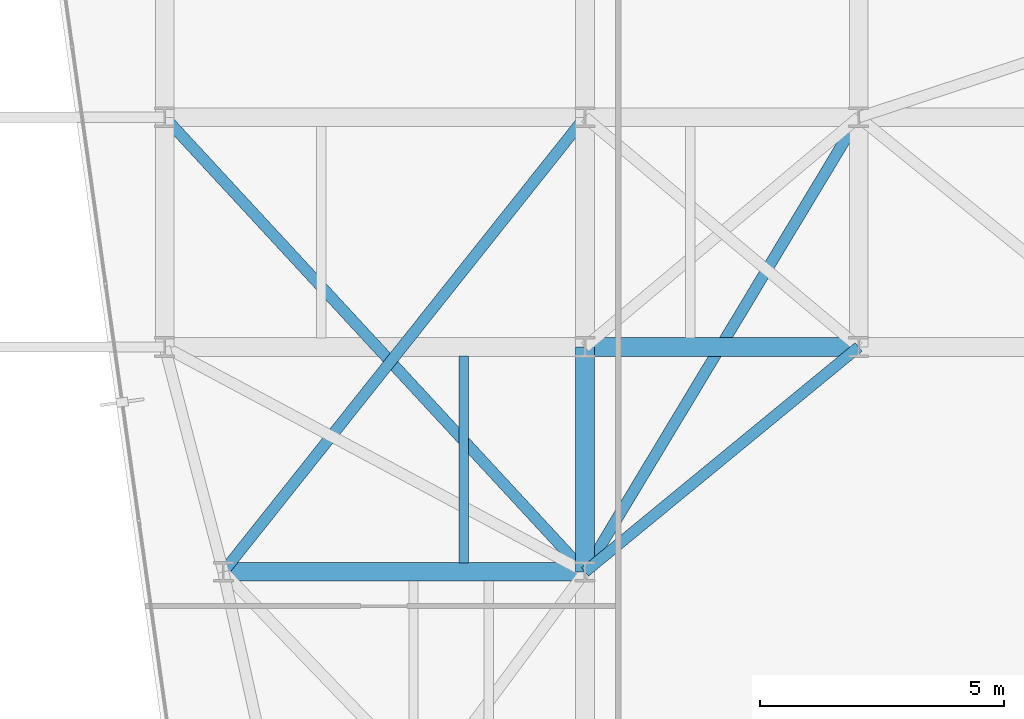
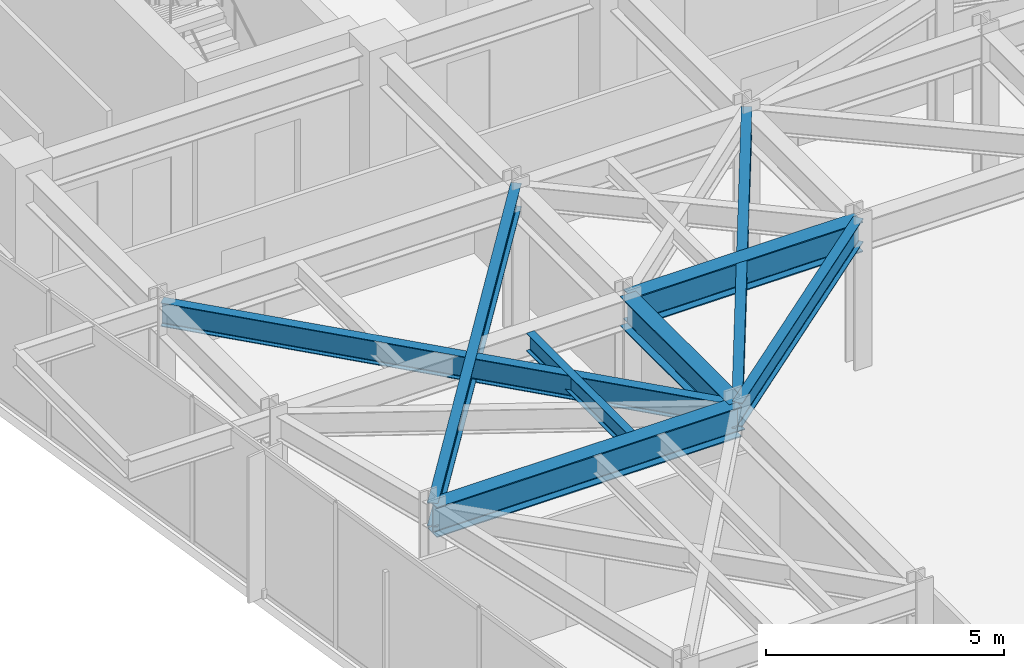
# One storey, part 5 of 26: 8 beams.
"""IFC4 building model written with IfcOpenShell, lengths in metres."""

from ifc_helpers import new_model, si_unit, direction, frame, origin, origin_2d, place, context, subcontext, project, spatial, i_section, extrude, material, material_profile, profile_set, type_object, element, save


model = new_model("IFC4")

# Units and contexts
model_context = context("Model", 3, precision=1e-05, world=origin(), true_north=direction((0.0, 1.0)))
body_context = subcontext(model_context, "Body", "Model", "MODEL_VIEW")
ifc_project = project(units=[si_unit("LENGTHUNIT", "METRE"), si_unit("AREAUNIT", "SQUARE_METRE"), si_unit("VOLUMEUNIT", "CUBIC_METRE"), si_unit("PLANEANGLEUNIT", "RADIAN"), si_unit("MASSUNIT", "GRAM", prefix="KILO")], contexts=[model_context])

# Site, building, storey
site_placement = place(None, origin())
site = spatial("IfcSite", under=ifc_project, at=site_placement, CompositionType="ELEMENT")
building_placement = place(site_placement, origin())
building = spatial("IfcBuilding", under=site, at=building_placement, Name="Kravanh Interchange Tower", CompositionType="ELEMENT")
storey_placement = place(building_placement, frame((0.0, 0.0, 172.5)))
storey = spatial("IfcBuildingStorey", under=building, at=storey_placement, Name="L41", CompositionType="ELEMENT", Elevation=172.5)

# Beams
ifc_material_1 = material(Name="Structural Steel S355", Category="steel")
ifc_material_profile_1 = material_profile(ifc_material_1, i_section(OverallWidth=0.381103515625, OverallDepth=0.77294921875, WebThickness=0.0166015625, FlangeThickness=0.027099609375, FilletRadius=0.02490234375, at=origin_2d()), Name="W30X173")
ifc_profile_set_1 = profile_set([ifc_material_profile_1], Name="Structural Steel S355")
beam_type_1 = type_object("IfcBeamType", Name="Floor Beam W30X173 Structural Steel S355", PredefinedType="BEAM", material=ifc_profile_set_1)
beam_1_placement = place(storey_placement, frame((27.199951171875, 26.800048828125, 3.368408203125), z_axis=(0.0, -1.0, 0.0), x_axis=(1.0, 0.0, 0.0)))
element("IfcBeam", 1, at=beam_1_placement, inside=storey, type_object=beam_type_1, Name="L41 Primary Floor Girder 37", PredefinedType="BEAM", context=body_context, shape_type="SweptSolid", body=[
    extrude(i_section(OverallWidth=0.381103515625, OverallDepth=0.77294921875, WebThickness=0.0166015625, FlangeThickness=0.027099609375, FilletRadius=0.02490234375, at=origin_2d()), origin(), (0.0, 0.0, 1.0), 4.60009765625),
])
beam_2_placement = place(storey_placement, frame((27.199951171875, 26.800048828125, 3.368408203125), z_axis=(1.0, 0.0, 0.0), x_axis=(0.0, 1.0, 0.0)))
element("IfcBeam", 2, at=beam_2_placement, inside=storey, type_object=beam_type_1, Name="L41 Primary Floor Girder 39", PredefinedType="BEAM", context=body_context, shape_type="SweptSolid", body=[
    extrude(i_section(OverallWidth=0.381103515625, OverallDepth=0.77294921875, WebThickness=0.0166015625, FlangeThickness=0.027099609375, FilletRadius=0.02490234375, at=origin_2d()), origin(), (0.0, 0.0, 1.0), 5.60009765625),
])
beam_3_placement = place(storey_placement, frame((19.800048828125, 22.199951171875, 3.368408203125), z_axis=(1.0, 0.0, 0.0), x_axis=(0.0, 1.0, 0.0)))
element("IfcBeam", 3, at=beam_3_placement, inside=storey, type_object=beam_type_1, Name="L41 Primary Floor Girder 91", PredefinedType="BEAM", context=body_context, shape_type="SweptSolid", body=[
    extrude(i_section(OverallWidth=0.381103515625, OverallDepth=0.77294921875, WebThickness=0.0166015625, FlangeThickness=0.027099609375, FilletRadius=0.02490234375, at=origin_2d()), origin(), (0.0, 0.0, 1.0), 7.39990234375),
])
ifc_material_2 = material(Name="Structural Steel S355", Category="steel")
ifc_material_profile_2 = material_profile(ifc_material_2, i_section(OverallWidth=0.18994140625, OverallDepth=0.45703125, WebThickness=0.009033203125, FlangeThickness=0.014404296875, FilletRadius=0.01806640625, at=origin_2d()), Name="W18X50")
ifc_profile_set_2 = profile_set([ifc_material_profile_2], Name="Structural Steel S355")
beam_type_2 = type_object("IfcBeamType", Name="Floor Joist W18X50 Structural Steel S355", PredefinedType="JOIST", material=ifc_profile_set_2)
beam_4_placement = place(storey_placement, frame((24.719970703125, 22.385498046875, 3.526611328125), z_axis=(0.0, 1.0, 0.0), x_axis=(-1.0, 0.0, 0.0)))
element("IfcBeam", 4, at=beam_4_placement, inside=storey, type_object=beam_type_2, Name="L41 Secondary Floor Joist 6", PredefinedType="JOIST", context=body_context, shape_type="SweptSolid", body=[
    extrude(i_section(OverallWidth=0.18994140625, OverallDepth=0.45703125, WebThickness=0.009033203125, FlangeThickness=0.014404296875, FilletRadius=0.01806640625, at=origin_2d()), origin(), (0.0, 0.0, 1.0), 4.22900390625),
])
ifc_material_3 = material(Name="Structural Steel S355", Category="steel")
ifc_material_profile_3 = material_profile(ifc_material_3, i_section(OverallWidth=0.22802734375, OverallDepth=0.60791015625, WebThickness=0.01123046875, FlangeThickness=0.017333984375, FilletRadius=0.02197265625, at=origin_2d()), Name="W24X76")
ifc_profile_set_3 = profile_set([ifc_material_profile_3], Name="Structural Steel S355")
beam_type_3 = type_object("IfcBeamType", Name="Floor Spandrel W24X76 Structural Steel S355", PredefinedType="SPANDREL", material=ifc_profile_set_3)
beam_5_placement = place(storey_placement, frame((32.800048828125, 26.800048828125, 3.450927734375), z_axis=(-0.772725074305, -0.634740860147, 0.0), x_axis=(0.634740860147, -0.772725074305, 0.0)))
element("IfcBeam", 5, at=beam_5_placement, inside=storey, type_object=beam_type_3, Name="L41 Perimeter Spandrel 43", PredefinedType="SPANDREL", context=body_context, shape_type="SweptSolid", body=[
    extrude(i_section(OverallWidth=0.22802734375, OverallDepth=0.60791015625, WebThickness=0.01123046875, FlangeThickness=0.017333984375, FilletRadius=0.02197265625, at=origin_2d()), origin(), (0.0, 0.0, 1.0), 7.247314453125),
])
beam_6_placement = place(storey_placement, frame((18.60009765625, 31.5, 3.450927734375), z_axis=(0.678927458783, -0.734205356634, 0.0), x_axis=(0.734205356634, 0.678927458783, 0.0)))
element("IfcBeam", 6, at=beam_6_placement, inside=storey, type_object=beam_type_3, Name="L41 Perimeter Spandrel 63", PredefinedType="SPANDREL", context=body_context, shape_type="SweptSolid", body=[
    extrude(i_section(OverallWidth=0.22802734375, OverallDepth=0.60791015625, WebThickness=0.01123046875, FlangeThickness=0.017333984375, FilletRadius=0.02197265625, at=origin_2d()), origin(), (0.0, 0.0, 1.0), 12.666748046875),
])
beam_7_placement = place(storey_placement, frame((27.199951171875, 31.5, 3.450927734375), z_axis=(-0.622633646541, -0.782513477324, 0.0), x_axis=(0.782513477324, -0.622633646541, 0.0)))
element("IfcBeam", 7, at=beam_7_placement, inside=storey, type_object=beam_type_3, Name="L41 Perimeter Spandrel 66", PredefinedType="SPANDREL", context=body_context, shape_type="SweptSolid", body=[
    extrude(i_section(OverallWidth=0.22802734375, OverallDepth=0.60791015625, WebThickness=0.01123046875, FlangeThickness=0.017333984375, FilletRadius=0.02197265625, at=origin_2d()), origin(), (0.0, 0.0, 1.0), 11.884765625),
])
beam_8_placement = place(storey_placement, frame((32.800048828125, 31.5, 3.450927734375), z_axis=(-0.515854375109, -0.856676288735, 0.0), x_axis=(0.856676288735, -0.515854375109, 0.0)))
element("IfcBeam", 8, at=beam_8_placement, inside=storey, type_object=beam_type_3, Name="L41 Perimeter Spandrel 69", PredefinedType="SPANDREL", context=body_context, shape_type="SweptSolid", body=[
    extrude(i_section(OverallWidth=0.22802734375, OverallDepth=0.60791015625, WebThickness=0.01123046875, FlangeThickness=0.017333984375, FilletRadius=0.02197265625, at=origin_2d()), origin(), (0.0, 0.0, 1.0), 10.85595703125),
])

save(model, "model.ifc")
